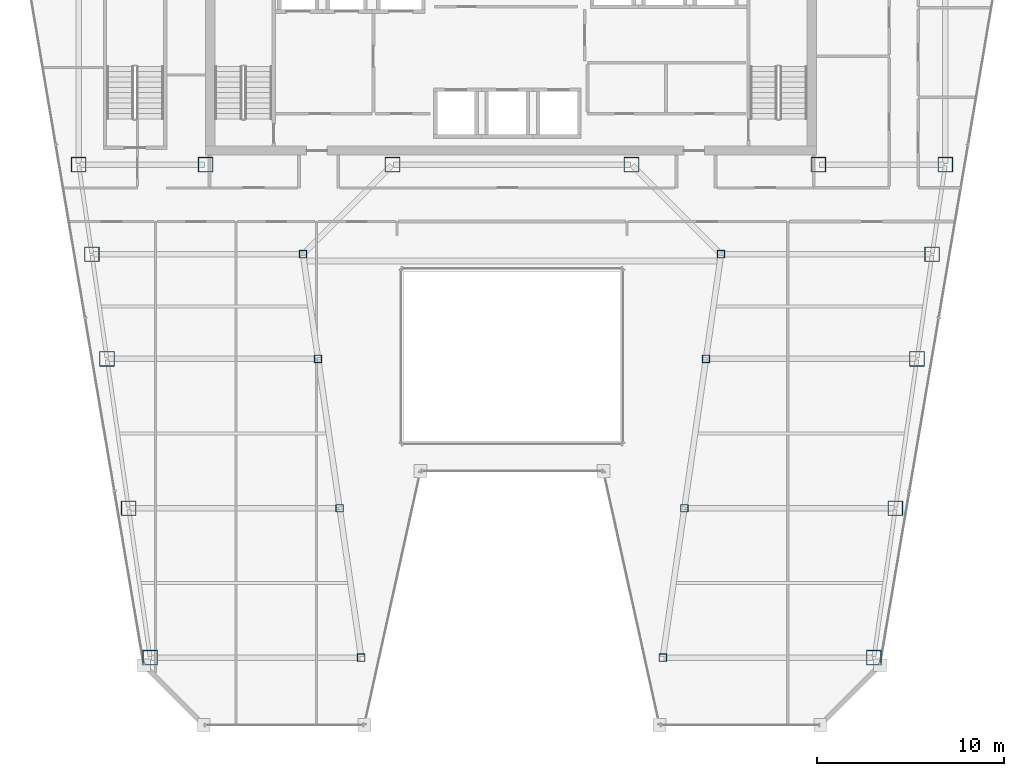
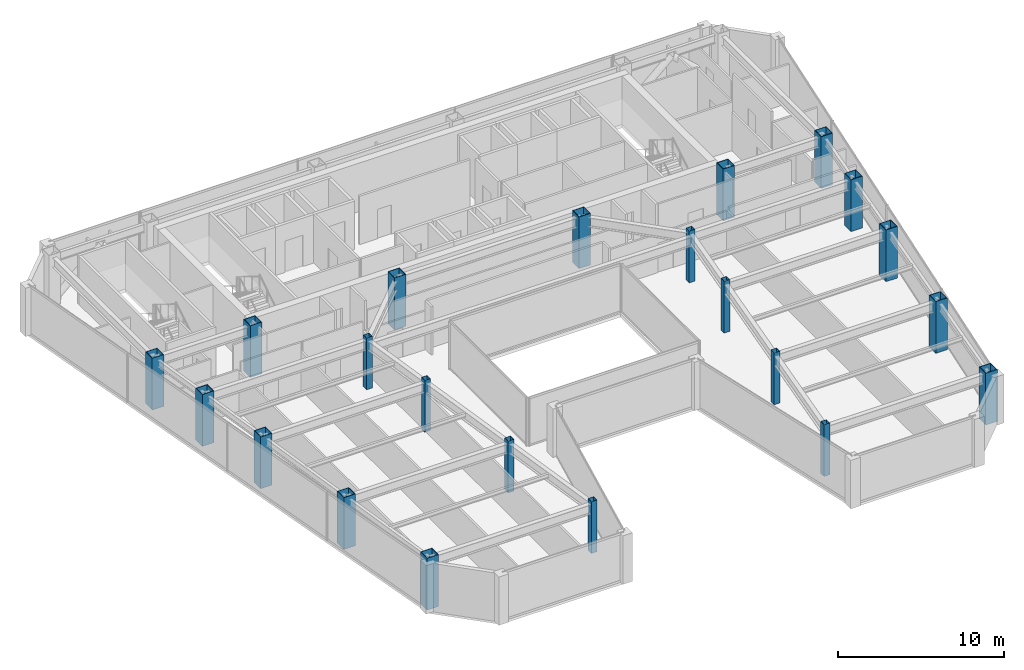
# One storey, part 1 of 35: 22 columns.
"""IFC4 building model written with IfcOpenShell, lengths in metres."""

from ifc_helpers import new_model, si_unit, direction, frame, origin, origin_2d, place, context, subcontext, project, spatial, hollow_rectangle, extrude, material, material_profile, profile_set, type_object, element, save


model = new_model("IFC4")

# Units and contexts
model_context = context("Model", 3, precision=1e-05, world=origin(), true_north=direction((0.0, 1.0)))
body_context = subcontext(model_context, "Body", "Model", "MODEL_VIEW")
ifc_project = project(units=[si_unit("LENGTHUNIT", "METRE"), si_unit("AREAUNIT", "SQUARE_METRE"), si_unit("VOLUMEUNIT", "CUBIC_METRE"), si_unit("PLANEANGLEUNIT", "RADIAN"), si_unit("MASSUNIT", "GRAM", prefix="KILO")], contexts=[model_context])

# Site, building, storey
site_placement = place(None, origin())
site = spatial("IfcSite", under=ifc_project, at=site_placement, CompositionType="ELEMENT")
building_placement = place(site_placement, origin())
building = spatial("IfcBuilding", under=site, at=building_placement, Name="Saevonmaru Cultural Tower", CompositionType="ELEMENT")
storey_placement = place(building_placement, frame((0.0, 0.0, 190.39990234375)))
storey = spatial("IfcBuildingStorey", under=building, at=storey_placement, Name="L43", CompositionType="ELEMENT", Elevation=190.39990234375)

# Columns
ifc_material_1 = material(Name="Steel SM420", Category="steel")
ifc_material_profile_1 = material_profile(ifc_material_1, hollow_rectangle(XDim=0.800048828125, YDim=0.800048828125, WallThickness=0.035888671875, at=origin_2d()), Name="BOX-800x800x36")
ifc_profile_set_1 = profile_set([ifc_material_profile_1], Name="Steel SM420")
column_type_1 = type_object("IfcColumnType", Name="COL-BOX-800", PredefinedType="COLUMN", material=ifc_profile_set_1)
for number, where, z_axis, x_axis, name in (
    (1, (6.800048828125, 42.39990234375, 0.0), (0.0, 0.0, 1.0), (1.0, 0.0, 0.0), "L43 Column TC-S1C"),
    (2, (13.60009765625, 42.39990234375, 0.0), (0.0, 0.0, 1.0), (1.0, 0.0, 0.0), "L43 Column TC-S2C"),
    (3, (23.60009765625, 42.39990234375, 0.0), (0.0, 0.0, 1.0), (1.0, 0.0, 0.0), "L43 Column TC-S3C"),
    (4, (36.39990234375, 42.39990234375, 0.0), (0.0, 0.0, 1.0), (1.0, 0.0, 0.0), "L43 Column TC-S4C"),
    (5, (46.39990234375, 42.39990234375, 0.0), (0.0, 0.0, 1.0), (1.0, 0.0, 0.0), "L43 Column TC-S5C"),
    (6, (53.199951171875, 42.39990234375, 0.0), (0.0, 0.0, 1.0), (1.0, 0.0, 0.0), "L43 Column TC-S6C"),
    (7, (10.6279296875, 16.0, 0.0), (0.0, 0.0, 1.0), (1.0, 0.0, 0.0), "L43 Column TC-WO-Y160"),
    (8, (49.3720703125, 16.0, 0.0), (0.0, 0.0, 1.0), (1.0, 0.0, 0.0), "L43 Column TC-EO-Y160"),
    (9, (9.471923828125, 24.0, 0.0), (0.0, 0.0, 1.0), (1.0, 0.0, 0.0), "L43 Column TC-WO-Y240"),
    (10, (50.528076171875, 24.0, 0.0), (0.0, 0.0, 1.0), (1.0, 0.0, 0.0), "L43 Column TC-EO-Y240"),
    (11, (8.31689453125, 32.0, 0.0), (0.0, 0.0, 1.0), (1.0, 0.0, 0.0), "L43 Column TC-WO-Y320"),
    (12, (51.68310546875, 32.0, 0.0), (0.0, 0.0, 1.0), (1.0, 0.0, 0.0), "L43 Column TC-EO-Y320"),
    (13, (7.508056640625, 37.60009765625, 0.0), (0.0, 0.0, 1.0), (1.0, 0.0, 0.0), "L43 Column TC-WO-Y376"),
    (14, (52.491943359375, 37.60009765625, 0.0), (0.0, 0.0, 1.0), (1.0, 0.0, 0.0), "L43 Column TC-EO-Y376"),
):
    element("IfcColumn", number, at=place(storey_placement, frame(where, z_axis=z_axis, x_axis=x_axis)), inside=storey, type_object=column_type_1, Name=name, PredefinedType="COLUMN", context=body_context, shape_type="SweptSolid", body=[
        extrude(hollow_rectangle(XDim=0.800048828125, YDim=0.800048828125, WallThickness=0.035888671875, at=origin_2d()), origin(), (0.0, 0.0, 1.0), 3.800048828125),
    ])
ifc_material_2 = material(Name="Steel SM355", Category="steel")
ifc_material_profile_2 = material_profile(ifc_material_2, hollow_rectangle(XDim=0.39990234375, YDim=0.39990234375, WallThickness=0.01611328125, at=origin_2d()), Name="SHS-400x400x16")
ifc_profile_set_2 = profile_set([ifc_material_profile_2], Name="Steel SM355")
column_type_2 = type_object("IfcColumnType", Name="COL-SHS-400", PredefinedType="COLUMN", material=ifc_profile_set_2)
for number, where, z_axis, x_axis, name in (
    (15, (21.927978515625, 16.0, 0.0), (0.0, 0.0, 1.0), (1.0, 0.0, 0.0), "L43 Column TC-WI-Y160"),
    (16, (38.072021484375, 16.0, 0.0), (0.0, 0.0, 1.0), (1.0, 0.0, 0.0), "L43 Column TC-EI-Y160"),
    (17, (20.77197265625, 24.0, 0.0), (0.0, 0.0, 1.0), (1.0, 0.0, 0.0), "L43 Column TC-WI-Y240"),
    (18, (39.22802734375, 24.0, 0.0), (0.0, 0.0, 1.0), (1.0, 0.0, 0.0), "L43 Column TC-EI-Y240"),
    (19, (19.616943359375, 32.0, 0.0), (0.0, 0.0, 1.0), (1.0, 0.0, 0.0), "L43 Column TC-WI-Y320"),
    (20, (40.383056640625, 32.0, 0.0), (0.0, 0.0, 1.0), (1.0, 0.0, 0.0), "L43 Column TC-EI-Y320"),
    (21, (18.80810546875, 37.60009765625, 0.0), (0.0, 0.0, 1.0), (1.0, 0.0, 0.0), "L43 Column TC-WI-Y376"),
    (22, (41.19189453125, 37.60009765625, 0.0), (0.0, 0.0, 1.0), (1.0, 0.0, 0.0), "L43 Column TC-EI-Y376"),
):
    element("IfcColumn", number, at=place(storey_placement, frame(where, z_axis=z_axis, x_axis=x_axis)), inside=storey, type_object=column_type_2, Name=name, PredefinedType="COLUMN", context=body_context, shape_type="SweptSolid", body=[
        extrude(hollow_rectangle(XDim=0.39990234375, YDim=0.39990234375, WallThickness=0.01611328125, at=origin_2d()), origin(), (0.0, 0.0, 1.0), 3.800048828125),
    ])

save(model, "model.ifc")
